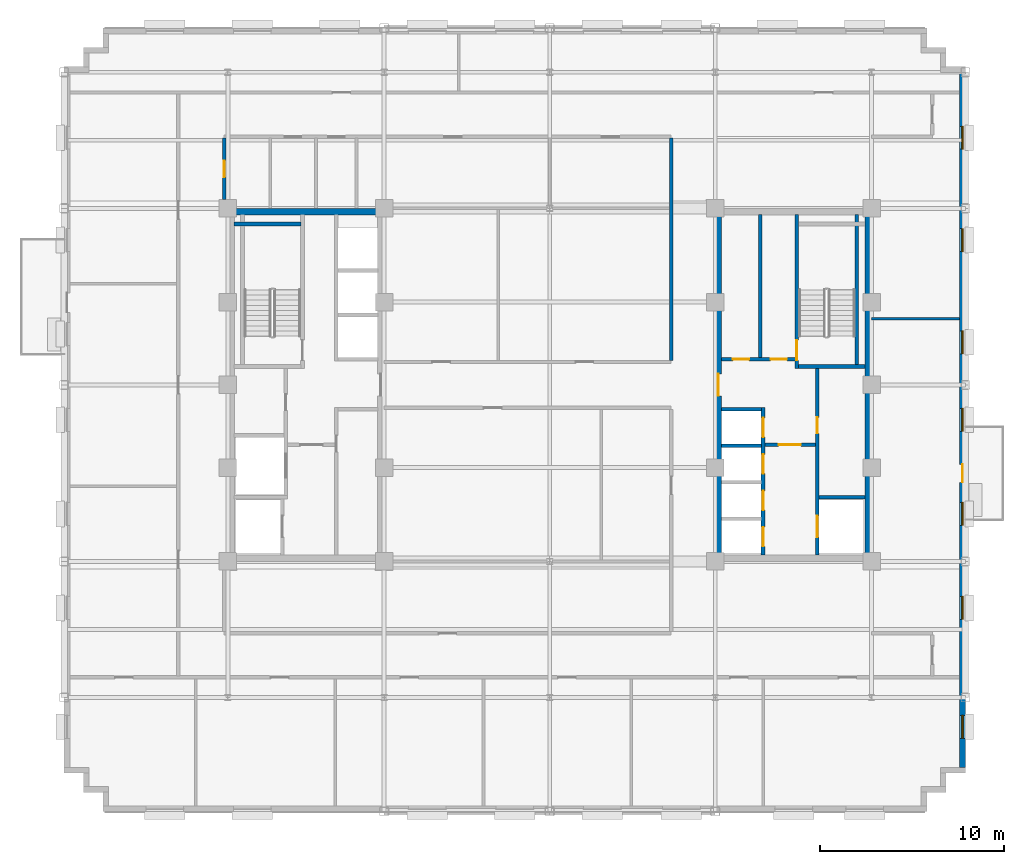
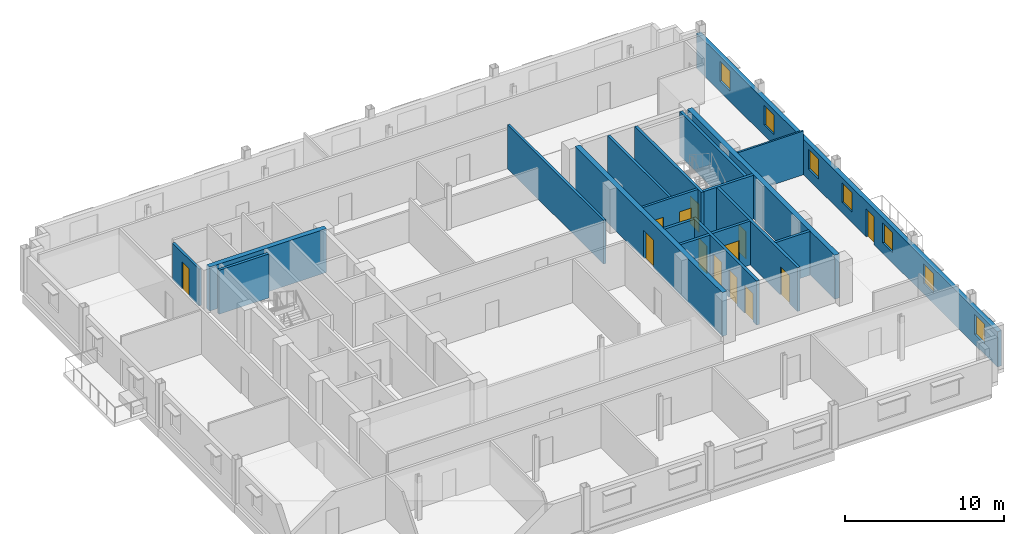
# One storey, part 9 of 15: 19 walls, 13 doors, 7 windows, 20 openings.
"""IFC4 building model written with IfcOpenShell, lengths in metres."""

from ifc_helpers import new_model, si_unit, direction, frame, frame_2d, origin, place, context, subcontext, project, spatial, rectangle, extrude, source, transform, mapped, material, layer, layer_set, type_object, type_shapes, element, fill, save


model = new_model("IFC4")

# Units and contexts
model_context = context("Model", 3, precision=1e-05, world=origin(), true_north=direction((0.0, 1.0)))
body_context = subcontext(model_context, "Body", "Model", "MODEL_VIEW")
ifc_project = project(units=[si_unit("LENGTHUNIT", "METRE"), si_unit("AREAUNIT", "SQUARE_METRE"), si_unit("VOLUMEUNIT", "CUBIC_METRE"), si_unit("PLANEANGLEUNIT", "RADIAN"), si_unit("MASSUNIT", "GRAM", prefix="KILO")], contexts=[model_context])

# Site, building, storey
site_placement = place(None, origin())
site = spatial("IfcSite", under=ifc_project, at=site_placement, CompositionType="ELEMENT")
building_placement = place(site_placement, origin())
building = spatial("IfcBuilding", under=site, at=building_placement, Name="Nuvemarco Arch Tower", CompositionType="ELEMENT")
storey_placement = place(building_placement, frame((0.0, 0.0, 190.89990234375)))
storey = spatial("IfcBuildingStorey", under=building, at=storey_placement, Name="L50", CompositionType="ELEMENT", Elevation=190.89990234375)

# Wall, openings, door, windows
ifc_material_1 = material(Name="Precast concrete C45/55", Category="concrete")
ifc_layer_1 = layer(ifc_material_1, 0.31005859375, Name="EW-UPP-310")
ifc_layer_set_1 = layer_set([ifc_layer_1], Name="Precast concrete C45/55")
wall_type_1 = type_object("IfcWallType", Name="EW-UPP-310", PredefinedType="STANDARD", material=ifc_layer_set_1)
wall_1_placement = place(storey_placement, frame((22.445068359375, -20.7939453125, 0.0), z_axis=(0.0, 0.0, 1.0), x_axis=(0.0, 1.0, 0.0)))
wall_1 = element("IfcWall", 1, at=wall_1_placement, inside=storey, type_object=wall_type_1, Name="L50 exterior precast facade wall 6", PredefinedType="STANDARD", context=body_context, shape_type="SweptSolid", body=[
    extrude(rectangle(XDim=37.787841796875, YDim=0.31005859375, at=frame_2d((18.89404296875, 0.0))), origin(), (0.0, 0.0, 1.0), 2.705078125),
])
opening_1_placement = place(wall_1_placement, frame((16.473876953125, 0.0, 0.0), z_axis=(0.0, 0.0, 1.0), x_axis=(-1.0, 0.0, 0.0)))
opening_1 = element("IfcOpeningElement", 2, at=opening_1_placement, cuts=wall_1, Name="Opening ED-6", PredefinedType="OPENING", context=body_context, shape_type="SweptSolid", body=[
    extrude(rectangle(XDim=0.97998046875, YDim=2.14990234375, at=frame_2d((0.489990234375, 1.074951171875))), frame((0.0, 0.1650390625, 0.0), z_axis=(0.0, -1.0, 0.0), x_axis=(1.0, 0.0, 0.0)), (0.0, 0.0, 1.0), 0.330078125),
])
opening_2_placement = place(wall_1_placement, frame((1.581298828125, 0.0, 0.800048828125)))
opening_2 = element("IfcOpeningElement", 3, at=opening_2_placement, cuts=wall_1, Name="Opening WN-13", PredefinedType="OPENING", context=body_context, shape_type="SweptSolid", body=[
    extrude(rectangle(XDim=1.25, YDim=1.52001953125, at=frame_2d((0.625, 0.760009765625))), frame((0.0, 0.1650390625, 0.0), z_axis=(0.0, -1.0, 0.0), x_axis=(1.0, 0.0, 0.0)), (0.0, 0.0, 1.0), 0.330078125),
])
opening_3_placement = place(wall_1_placement, frame((8.0439453125, 0.0, 0.800048828125)))
opening_3 = element("IfcOpeningElement", 4, at=opening_3_placement, cuts=wall_1, Name="Opening WN-13", PredefinedType="OPENING", context=body_context, shape_type="SweptSolid", body=[
    extrude(rectangle(XDim=1.25, YDim=1.52001953125, at=frame_2d((0.625, 0.760009765625))), frame((0.0, 0.1650390625, 0.0), z_axis=(0.0, -1.0, 0.0), x_axis=(1.0, 0.0, 0.0)), (0.0, 0.0, 1.0), 0.330078125),
])
opening_4_placement = place(wall_1_placement, frame((13.156494140625, 0.0, 0.800048828125)))
opening_4 = element("IfcOpeningElement", 5, at=opening_4_placement, cuts=wall_1, Name="Opening WN-13", PredefinedType="OPENING", context=body_context, shape_type="SweptSolid", body=[
    extrude(rectangle(XDim=1.25, YDim=1.52001953125, at=frame_2d((0.625, 0.760009765625))), frame((0.0, 0.1650390625, 0.0), z_axis=(0.0, -1.0, 0.0), x_axis=(1.0, 0.0, 0.0)), (0.0, 0.0, 1.0), 0.330078125),
])
opening_5_placement = place(wall_1_placement, frame((18.26904296875, 0.0, 0.800048828125)))
opening_5 = element("IfcOpeningElement", 6, at=opening_5_placement, cuts=wall_1, Name="Opening WN-13", PredefinedType="OPENING", context=body_context, shape_type="SweptSolid", body=[
    extrude(rectangle(XDim=1.25, YDim=1.52001953125, at=frame_2d((0.625, 0.760009765625))), frame((0.0, 0.1650390625, 0.0), z_axis=(0.0, -1.0, 0.0), x_axis=(1.0, 0.0, 0.0)), (0.0, 0.0, 1.0), 0.330078125),
])
opening_6_placement = place(wall_1_placement, frame((22.481689453125, 0.0, 0.800048828125)))
opening_6 = element("IfcOpeningElement", 7, at=opening_6_placement, cuts=wall_1, Name="Opening WN-13", PredefinedType="OPENING", context=body_context, shape_type="SweptSolid", body=[
    extrude(rectangle(XDim=1.25, YDim=1.52001953125, at=frame_2d((0.625, 0.760009765625))), frame((0.0, 0.1650390625, 0.0), z_axis=(0.0, -1.0, 0.0), x_axis=(1.0, 0.0, 0.0)), (0.0, 0.0, 1.0), 0.330078125),
])
opening_7_placement = place(wall_1_placement, frame((28.044189453125, 0.0, 0.800048828125)))
opening_7 = element("IfcOpeningElement", 8, at=opening_7_placement, cuts=wall_1, Name="Opening WN-13", PredefinedType="OPENING", context=body_context, shape_type="SweptSolid", body=[
    extrude(rectangle(XDim=1.25, YDim=1.52001953125, at=frame_2d((0.625, 0.760009765625))), frame((0.0, 0.1650390625, 0.0), z_axis=(0.0, -1.0, 0.0), x_axis=(1.0, 0.0, 0.0)), (0.0, 0.0, 1.0), 0.330078125),
])
opening_8_placement = place(wall_1_placement, frame((33.606689453125, 0.0, 0.800048828125)))
opening_8 = element("IfcOpeningElement", 9, at=opening_8_placement, cuts=wall_1, Name="Opening WN-13", PredefinedType="OPENING", context=body_context, shape_type="SweptSolid", body=[
    extrude(rectangle(XDim=1.25, YDim=1.52001953125, at=frame_2d((0.625, 0.760009765625))), frame((0.0, 0.1650390625, 0.0), z_axis=(0.0, -1.0, 0.0), x_axis=(1.0, 0.0, 0.0)), (0.0, 0.0, 1.0), 0.330078125),
])
ifc_material_2 = material(Name="Anodised bronze and laminated glass", Category="glass")
door_type_1 = type_object("IfcDoorType", Name="DR-EXT-BALC", OperationType="NOTDEFINED", PredefinedType="DOOR", material=ifc_material_2)
shared_shape_1 = source(origin(), body_context, "Body", "SweptSolid", [
    extrude(rectangle(XDim=0.97998046875, YDim=2.14990234375, at=frame_2d((0.489990234375, 1.074951171875))), frame((0.0, 0.02490234375, 0.0), z_axis=(0.0, -1.0, 0.0), x_axis=(1.0, 0.0, 0.0)), (0.0, 0.0, 1.0), 0.050048828125),
])
type_shapes(door_type_1, [shared_shape_1])
door_1_placement = place(opening_1_placement, origin())
door_1 = element("IfcDoor", 10, at=door_1_placement, inside=storey, type_object=door_type_1, Name="L50 tree balcony access door", OperationType="SINGLE_SWING_RIGHT", OverallHeight=2.14990234375, OverallWidth=0.97998046875, PredefinedType="DOOR", context=body_context, shape_type="MappedRepresentation", body=[
    mapped(shared_shape_1, transform((0.0, 0.0, 0.0), scale=1.0)),
])
fill(opening_1, door_1)
ifc_material_3 = material(Name="Insulated solar-control glass", Category="glass")
window_type = type_object("IfcWindowType", Name="WN-SET-1250x1520", PartitioningType="SINGLE_PANEL", PredefinedType="WINDOW", material=ifc_material_3)
shared_shape_2 = source(origin(), body_context, "Body", "SweptSolid", [
    extrude(rectangle(XDim=1.25, YDim=1.52001953125, at=frame_2d((0.625, 0.760009765625))), frame((0.0, 0.030029296875, 0.0), z_axis=(0.0, -1.0, 0.0), x_axis=(1.0, 0.0, 0.0)), (0.0, 0.0, 1.0), 0.06005859375),
])
type_shapes(window_type, [shared_shape_2])
window_1_placement = place(opening_2_placement, origin())
window_1 = element("IfcWindow", 11, at=window_1_placement, inside=storey, type_object=window_type, Name="L50 punched facade window 1", OverallHeight=1.52001953125, OverallWidth=1.25, PartitioningType="SINGLE_PANEL", PredefinedType="WINDOW", context=body_context, shape_type="MappedRepresentation", body=[
    mapped(shared_shape_2, transform((0.0, 0.0, 0.0), scale=1.0)),
])
fill(opening_2, window_1)
window_2_placement = place(opening_3_placement, origin())
window_2 = element("IfcWindow", 12, at=window_2_placement, inside=storey, type_object=window_type, Name="L50 punched facade window 2", OverallHeight=1.52001953125, OverallWidth=1.25, PartitioningType="SINGLE_PANEL", PredefinedType="WINDOW", context=body_context, shape_type="MappedRepresentation", body=[
    mapped(shared_shape_2, transform((0.0, 0.0, 0.0), scale=1.0)),
])
fill(opening_3, window_2)
window_3_placement = place(opening_4_placement, origin())
window_3 = element("IfcWindow", 13, at=window_3_placement, inside=storey, type_object=window_type, Name="L50 punched facade window 3", OverallHeight=1.52001953125, OverallWidth=1.25, PartitioningType="SINGLE_PANEL", PredefinedType="WINDOW", context=body_context, shape_type="MappedRepresentation", body=[
    mapped(shared_shape_2, transform((0.0, 0.0, 0.0), scale=1.0)),
])
fill(opening_4, window_3)
window_4_placement = place(opening_5_placement, origin())
window_4 = element("IfcWindow", 14, at=window_4_placement, inside=storey, type_object=window_type, Name="L50 punched facade window 4", OverallHeight=1.52001953125, OverallWidth=1.25, PartitioningType="SINGLE_PANEL", PredefinedType="WINDOW", context=body_context, shape_type="MappedRepresentation", body=[
    mapped(shared_shape_2, transform((0.0, 0.0, 0.0), scale=1.0)),
])
fill(opening_5, window_4)
window_5_placement = place(opening_6_placement, origin())
window_5 = element("IfcWindow", 15, at=window_5_placement, inside=storey, type_object=window_type, Name="L50 punched facade window 5", OverallHeight=1.52001953125, OverallWidth=1.25, PartitioningType="SINGLE_PANEL", PredefinedType="WINDOW", context=body_context, shape_type="MappedRepresentation", body=[
    mapped(shared_shape_2, transform((0.0, 0.0, 0.0), scale=1.0)),
])
fill(opening_6, window_5)
window_6_placement = place(opening_7_placement, origin())
window_6 = element("IfcWindow", 16, at=window_6_placement, inside=storey, type_object=window_type, Name="L50 punched facade window 6", OverallHeight=1.52001953125, OverallWidth=1.25, PartitioningType="SINGLE_PANEL", PredefinedType="WINDOW", context=body_context, shape_type="MappedRepresentation", body=[
    mapped(shared_shape_2, transform((0.0, 0.0, 0.0), scale=1.0)),
])
fill(opening_7, window_6)
window_7_placement = place(opening_8_placement, origin())
window_7 = element("IfcWindow", 17, at=window_7_placement, inside=storey, type_object=window_type, Name="L50 punched facade window 7", OverallHeight=1.52001953125, OverallWidth=1.25, PartitioningType="SINGLE_PANEL", PredefinedType="WINDOW", context=body_context, shape_type="MappedRepresentation", body=[
    mapped(shared_shape_2, transform((0.0, 0.0, 0.0), scale=1.0)),
])
fill(opening_8, window_7)

# Wall
ifc_material_4 = material(Name="Concrete C50/60", Category="concrete")
ifc_layer_2 = layer(ifc_material_4, 0.35009765625, Name="WL-CORE-350")
ifc_layer_set_2 = layer_set([ifc_layer_2], Name="Concrete C50/60")
wall_type_2 = type_object("IfcWallType", Name="WL-CORE-350", PredefinedType="SHEAR", material=ifc_layer_set_2)
wall_2_placement = place(storey_placement, frame((-17.5, 9.425048828125, 0.0), z_axis=(0.0, 0.0, 1.0), x_axis=(1.0, 0.0, 0.0)))
element("IfcWall", 18, at=wall_2_placement, inside=storey, type_object=wall_type_2, Name="L50 W-core shear wall N", PredefinedType="SHEAR", context=body_context, shape_type="SweptSolid", body=[
    extrude(rectangle(XDim=8.5, YDim=0.35009765625, at=frame_2d((4.25, 0.0))), origin(), (0.0, 0.0, 1.0), 3.3701171875),
])

# Wall, opening, door
wall_3_placement = place(storey_placement, frame((9.175048828125, -9.2548828125, 0.0), z_axis=(0.0, 0.0, 1.0), x_axis=(0.0, 1.0, 0.0)))
wall_3 = element("IfcWall", 19, at=wall_3_placement, inside=storey, type_object=wall_type_2, Name="L50 E-core shear wall W", PredefinedType="SHEAR", context=body_context, shape_type="SweptSolid", body=[
    extrude(rectangle(XDim=18.509765625, YDim=0.35009765625, at=frame_2d((9.2548828125, 0.0))), origin(), (0.0, 0.0, 1.0), 3.3701171875),
])
opening_9_placement = place(wall_3_placement, frame((8.655029296875, 0.0, 0.0)))
opening_9 = element("IfcOpeningElement", 20, at=opening_9_placement, cuts=wall_3, Name="Opening FD-2", PredefinedType="OPENING", context=body_context, shape_type="SweptSolid", body=[
    extrude(rectangle(XDim=1.199951171875, YDim=2.14990234375, at=frame_2d((0.60009765625, 1.074951171875))), frame((0.0, 0.18505859375, 0.0), z_axis=(0.0, -1.0, 0.0), x_axis=(1.0, 0.0, 0.0)), (0.0, 0.0, 1.0), 0.3701171875),
])
ifc_material_5 = material(Name="Anodised steel fire door", Category="steel")
door_type_2 = type_object("IfcDoorType", Name="DR-FFLOB-FD", OperationType="NOTDEFINED", PredefinedType="DOOR", material=ifc_material_5)
shared_shape_3 = source(origin(), body_context, "Body", "SweptSolid", [
    extrude(rectangle(XDim=1.199951171875, YDim=2.14990234375, at=frame_2d((0.60009765625, 1.074951171875))), frame((0.0, 0.02490234375, 0.0), z_axis=(0.0, -1.0, 0.0), x_axis=(1.0, 0.0, 0.0)), (0.0, 0.0, 1.0), 0.050048828125),
])
type_shapes(door_type_2, [shared_shape_3])
door_2_placement = place(opening_9_placement, origin())
door_2 = element("IfcDoor", 21, at=door_2_placement, inside=storey, type_object=door_type_2, Name="L50 door FD-L50-ECORE-W", OperationType="SINGLE_SWING_RIGHT", OverallHeight=2.14990234375, OverallWidth=1.199951171875, PredefinedType="DOOR", context=body_context, shape_type="MappedRepresentation", body=[
    mapped(shared_shape_3, transform((0.0, 0.0, 0.0), scale=1.0)),
])
fill(opening_9, door_2)

# Wall
wall_4_placement = place(storey_placement, frame((17.324951171875, -9.2548828125, 0.0), z_axis=(0.0, 0.0, 1.0), x_axis=(0.0, 1.0, 0.0)))
element("IfcWall", 22, at=wall_4_placement, inside=storey, type_object=wall_type_2, Name="L50 E-core shear wall E", PredefinedType="SHEAR", context=body_context, shape_type="SweptSolid", body=[
    extrude(rectangle(XDim=18.509765625, YDim=0.35009765625, at=frame_2d((9.2548828125, 0.0))), origin(), (0.0, 0.0, 1.0), 3.3701171875),
])

# Wall, openings, doors
ifc_material_6 = material(Name="Fire-rated gypsum drywall partition")
ifc_layer_3 = layer(ifc_material_6, 0.179931640625, Name="WL-CORR-180")
ifc_layer_set_3 = layer_set([ifc_layer_3], Name="Fire-rated gypsum drywall partition")
wall_type_3 = type_object("IfcWallType", Name="WL-CORR-180", PredefinedType="PARTITIONING", material=ifc_layer_set_3)
wall_5_placement = place(storey_placement, frame((9.344970703125, 1.39990234375, 0.0), z_axis=(0.0, 0.0, 1.0), x_axis=(1.0, 0.0, 0.0)))
wall_5 = element("IfcWall", 23, at=wall_5_placement, inside=storey, type_object=wall_type_3, Name="L50 interior wall IW-L50-EK-S", PredefinedType="PARTITIONING", context=body_context, shape_type="SweptSolid", body=[
    extrude(rectangle(XDim=4.0, YDim=0.179931640625, at=frame_2d((2.0, 0.0))), origin(), (0.0, 0.0, 1.0), 3.360107421875),
])
opening_10_placement = place(wall_5_placement, frame((0.614990234375, 0.0, 0.0)))
opening_10 = element("IfcOpeningElement", 24, at=opening_10_placement, cuts=wall_5, Name="Opening FD-4", PredefinedType="OPENING", context=body_context, shape_type="SweptSolid", body=[
    extrude(rectangle(XDim=0.8798828125, YDim=2.10009765625, at=frame_2d((0.43994140625, 1.050048828125))), frame((0.0, 0.099853515625, 0.0), z_axis=(0.0, -1.0, 0.0), x_axis=(1.0, 0.0, 0.0)), (0.0, 0.0, 1.0), 0.199951171875),
])
opening_11_placement = place(wall_5_placement, frame((2.6650390625, 0.0, 0.0)))
opening_11 = element("IfcOpeningElement", 25, at=opening_11_placement, cuts=wall_5, Name="Opening FD-4", PredefinedType="OPENING", context=body_context, shape_type="SweptSolid", body=[
    extrude(rectangle(XDim=0.8798828125, YDim=2.10009765625, at=frame_2d((0.43994140625, 1.050048828125))), frame((0.0, 0.099853515625, 0.0), z_axis=(0.0, -1.0, 0.0), x_axis=(1.0, 0.0, 0.0)), (0.0, 0.0, 1.0), 0.199951171875),
])
door_type_3 = type_object("IfcDoorType", Name="DR-RISER-FD", OperationType="NOTDEFINED", PredefinedType="DOOR", material=ifc_material_5)
shared_shape_4 = source(origin(), body_context, "Body", "SweptSolid", [
    extrude(rectangle(XDim=0.8798828125, YDim=2.10009765625, at=frame_2d((0.43994140625, 1.050048828125))), frame((0.0, 0.02490234375, 0.0), z_axis=(0.0, -1.0, 0.0), x_axis=(1.0, 0.0, 0.0)), (0.0, 0.0, 1.0), 0.050048828125),
])
type_shapes(door_type_3, [shared_shape_4])
door_3_placement = place(opening_10_placement, origin())
door_3 = element("IfcDoor", 26, at=door_3_placement, inside=storey, type_object=door_type_3, Name="L50 door FD-L50-EK2A", OperationType="SINGLE_SWING_LEFT", OverallHeight=2.10009765625, OverallWidth=0.8798828125, PredefinedType="DOOR", context=body_context, shape_type="MappedRepresentation", body=[
    mapped(shared_shape_4, transform((0.0, 0.0, 0.0), scale=1.0)),
])
fill(opening_10, door_3)
door_4_placement = place(opening_11_placement, origin())
door_4 = element("IfcDoor", 27, at=door_4_placement, inside=storey, type_object=door_type_3, Name="L50 door FD-L50-EK2B", OperationType="SINGLE_SWING_RIGHT", OverallHeight=2.10009765625, OverallWidth=0.8798828125, PredefinedType="DOOR", context=body_context, shape_type="MappedRepresentation", body=[
    mapped(shared_shape_4, transform((0.0, 0.0, 0.0), scale=1.0)),
])
fill(opening_11, door_4)

# Wall
wall_6_placement = place(storey_placement, frame((11.449951171875, 1.489990234375, 0.0), z_axis=(0.0, 0.0, 1.0), x_axis=(0.0, 1.0, 0.0)))
element("IfcWall", 28, at=wall_6_placement, inside=storey, type_object=wall_type_3, Name="L50 interior wall IW-L50-EK2", PredefinedType="PARTITIONING", context=body_context, shape_type="SweptSolid", body=[
    extrude(rectangle(XDim=7.764892578125, YDim=0.179931640625, at=frame_2d((3.88232421875, 0.0))), origin(), (0.0, 0.0, 1.0), 3.360107421875),
])

# Wall, opening, door
wall_7_placement = place(storey_placement, frame((-17.699951171875, 10.071044921875, 0.0), z_axis=(0.0, 0.0, 1.0), x_axis=(0.0, 1.0, 0.0)))
wall_7 = element("IfcWall", 29, at=wall_7_placement, inside=storey, type_object=wall_type_3, Name="L50 interior wall IW-L50-019", PredefinedType="PARTITIONING", context=body_context, shape_type="SweptSolid", body=[
    extrude(rectangle(XDim=3.343017578125, YDim=0.179931640625, at=frame_2d((1.67138671875, 0.0))), origin(), (0.0, 0.0, 1.0), 2.816162109375),
])
opening_12_placement = place(wall_7_placement, frame((1.221435546875, 0.0, 0.0)))
opening_12 = element("IfcOpeningElement", 30, at=opening_12_placement, cuts=wall_7, Name="Opening ID-3", PredefinedType="OPENING", context=body_context, shape_type="SweptSolid", body=[
    extrude(rectangle(XDim=0.89990234375, YDim=2.10009765625, at=frame_2d((0.449951171875, 1.050048828125))), frame((0.0, 0.099853515625, 0.0), z_axis=(0.0, -1.0, 0.0), x_axis=(1.0, 0.0, 0.0)), (0.0, 0.0, 1.0), 0.199951171875),
])
ifc_material_7 = material(Name="Veneered oak timber fire door", Category="wood")
door_type_4 = type_object("IfcDoorType", Name="DR-WC-ACC", OperationType="NOTDEFINED", PredefinedType="DOOR", material=ifc_material_7)
shared_shape_5 = source(origin(), body_context, "Body", "SweptSolid", [
    extrude(rectangle(XDim=0.89990234375, YDim=2.10009765625, at=frame_2d((0.449951171875, 1.050048828125))), frame((0.0, 0.02490234375, 0.0), z_axis=(0.0, -1.0, 0.0), x_axis=(1.0, 0.0, 0.0)), (0.0, 0.0, 1.0), 0.050048828125),
])
type_shapes(door_type_4, [shared_shape_5])
door_5_placement = place(opening_12_placement, origin())
door_5 = element("IfcDoor", 31, at=door_5_placement, inside=storey, type_object=door_type_4, Name="L50 door DR-L50-WC_M", OperationType="SINGLE_SWING_LEFT", OverallHeight=2.10009765625, OverallWidth=0.89990234375, PredefinedType="DOOR", context=body_context, shape_type="MappedRepresentation", body=[
    mapped(shared_shape_5, transform((0.0, 0.0, 0.0), scale=1.0)),
])
fill(opening_12, door_5)

# Walls
wall_8_placement = place(storey_placement, frame((6.60009765625, 1.3359375, 0.0), z_axis=(0.0, 0.0, 1.0), x_axis=(0.0, 1.0, 0.0)))
element("IfcWall", 32, at=wall_8_placement, inside=storey, type_object=wall_type_3, Name="L50 interior wall IW-L50-031", PredefinedType="PARTITIONING", context=body_context, shape_type="SweptSolid", body=[
    extrude(rectangle(XDim=12.078125, YDim=0.179931640625, at=frame_2d((6.0390625, 0.0))), origin(), (0.0, 0.0, 1.0), 3.360107421875),
])
ifc_material_8 = material(Name="Glazed acoustic office partition")
ifc_layer_4 = layer(ifc_material_8, 0.1298828125, Name="WL-EXEC-130")
ifc_layer_set_4 = layer_set([ifc_layer_4], Name="Glazed acoustic office partition")
wall_type_4 = type_object("IfcWallType", Name="WL-EXEC-130", PredefinedType="PARTITIONING", material=ifc_layer_set_4)
wall_9_placement = place(storey_placement, frame((17.5, 3.60009765625, 0.0), z_axis=(0.0, 0.0, 1.0), x_axis=(1.0, 0.0, 0.0)))
element("IfcWall", 33, at=wall_9_placement, inside=storey, type_object=wall_type_4, Name="L50 interior wall IW-L50-009", PredefinedType="PARTITIONING", context=body_context, shape_type="SweptSolid", body=[
    extrude(rectangle(XDim=4.7900390625, YDim=0.1298828125, at=frame_2d((2.39501953125, 0.0))), origin(), (0.0, 0.0, 1.0), 3.360107421875),
])
ifc_layer_5 = layer(ifc_material_4, 0.199951171875, Name="WL-SHAFT-220")
ifc_layer_set_5 = layer_set([ifc_layer_5], Name="Concrete C50/60")
wall_type_5 = type_object("IfcWallType", Name="WL-SHAFT-220", PredefinedType="SHEAR", material=ifc_layer_set_5)
wall_10_placement = place(storey_placement, frame((-17.155029296875, 8.75, 0.0), z_axis=(0.0, 0.0, 1.0), x_axis=(1.0, 0.0, 0.0)))
element("IfcWall", 34, at=wall_10_placement, inside=storey, type_object=wall_type_5, Name="L50 structural shaft wall SW-L50-W-ST1N", PredefinedType="SHEAR", context=body_context, shape_type="SweptSolid", body=[
    extrude(rectangle(XDim=3.6201171875, YDim=0.199951171875, at=frame_2d((1.81005859375, 0.0))), origin(), (0.0, 0.0, 1.0), 3.3701171875),
])

# Wall, opening, door
wall_11_placement = place(storey_placement, frame((13.43994140625, 0.89990234375, 0.0), z_axis=(0.0, 0.0, 1.0), x_axis=(0.0, 1.0, 0.0)))
wall_11 = element("IfcWall", 35, at=wall_11_placement, inside=storey, type_object=wall_type_5, Name="L50 structural shaft wall SW-L50-E-ST2W", PredefinedType="SHEAR", context=body_context, shape_type="SweptSolid", body=[
    extrude(rectangle(XDim=8.35498046875, YDim=0.199951171875, at=frame_2d((4.177490234375, 0.0))), origin(), (0.0, 0.0, 1.0), 3.3701171875),
])
opening_13_placement = place(wall_11_placement, frame((0.429931640625, 0.0, 0.0)))
opening_13 = element("IfcOpeningElement", 36, at=opening_13_placement, cuts=wall_11, Name="Opening FD-1", PredefinedType="OPENING", context=body_context, shape_type="SweptSolid", body=[
    extrude(rectangle(XDim=1.10009765625, YDim=2.14990234375, at=frame_2d((0.550048828125, 1.074951171875))), frame((0.0, 0.10986328125, 0.0), z_axis=(0.0, -1.0, 0.0), x_axis=(1.0, 0.0, 0.0)), (0.0, 0.0, 1.0), 0.219970703125),
])
door_type_5 = type_object("IfcDoorType", Name="DR-STAIR-FD", OperationType="NOTDEFINED", PredefinedType="DOOR", material=ifc_material_5)
shared_shape_6 = source(origin(), body_context, "Body", "SweptSolid", [
    extrude(rectangle(XDim=1.10009765625, YDim=2.14990234375, at=frame_2d((0.550048828125, 1.074951171875))), frame((0.0, 0.02490234375, 0.0), z_axis=(0.0, -1.0, 0.0), x_axis=(1.0, 0.0, 0.0)), (0.0, 0.0, 1.0), 0.050048828125),
])
type_shapes(door_type_5, [shared_shape_6])
door_6_placement = place(opening_13_placement, origin())
door_6 = element("IfcDoor", 37, at=door_6_placement, inside=storey, type_object=door_type_5, Name="L50 door FD-L50-ST2", OperationType="SINGLE_SWING_LEFT", OverallHeight=2.14990234375, OverallWidth=1.10009765625, PredefinedType="DOOR", context=body_context, shape_type="MappedRepresentation", body=[
    mapped(shared_shape_6, transform((0.0, 0.0, 0.0), scale=1.0)),
])
fill(opening_13, door_6)

# Walls
wall_12_placement = place(storey_placement, frame((13.534912109375, 1.0, 0.0), z_axis=(0.0, 0.0, 1.0), x_axis=(1.0, 0.0, 0.0)))
element("IfcWall", 38, at=wall_12_placement, inside=storey, type_object=wall_type_5, Name="L50 structural shaft wall SW-L50-E-ST2S", PredefinedType="SHEAR", context=body_context, shape_type="SweptSolid", body=[
    extrude(rectangle(XDim=3.6201171875, YDim=0.199951171875, at=frame_2d((1.81005859375, 0.0))), origin(), (0.0, 0.0, 1.0), 3.3701171875),
])
wall_13_placement = place(storey_placement, frame((16.699951171875, 1.094970703125, 0.0), z_axis=(0.0, 0.0, 1.0), x_axis=(0.0, 1.0, 0.0)))
element("IfcWall", 39, at=wall_13_placement, inside=storey, type_object=wall_type_5, Name="L50 structural shaft wall SW-L50-E-ST2E", PredefinedType="SHEAR", context=body_context, shape_type="SweptSolid", body=[
    extrude(rectangle(XDim=8.159912109375, YDim=0.199951171875, at=frame_2d((4.080078125, 0.0))), origin(), (0.0, 0.0, 1.0), 3.3701171875),
])

# Wall, openings, doors
wall_14_placement = place(storey_placement, frame((14.550048828125, -9.2548828125, 0.0), z_axis=(0.0, 0.0, 1.0), x_axis=(0.0, 1.0, 0.0)))
wall_14 = element("IfcWall", 40, at=wall_14_placement, inside=storey, type_object=wall_type_5, Name="L50 structural shaft wall SW-L50-E-SHW", PredefinedType="SHEAR", context=body_context, shape_type="SweptSolid", body=[
    extrude(rectangle(XDim=10.159912109375, YDim=0.199951171875, at=frame_2d((5.080078125, 0.0))), origin(), (0.0, 0.0, 1.0), 3.3701171875),
])
opening_14_placement = place(wall_14_placement, frame((6.614990234375, 0.0, 0.0)))
opening_14 = element("IfcOpeningElement", 41, at=opening_14_placement, cuts=wall_14, Name="Opening FD-4", PredefinedType="OPENING", context=body_context, shape_type="SweptSolid", body=[
    extrude(rectangle(XDim=0.8798828125, YDim=2.10009765625, at=frame_2d((0.43994140625, 1.050048828125))), frame((0.0, 0.10986328125, 0.0), z_axis=(0.0, -1.0, 0.0), x_axis=(1.0, 0.0, 0.0)), (0.0, 0.0, 1.0), 0.219970703125),
])
opening_15_placement = place(wall_14_placement, frame((0.97998046875, 0.0, 0.0)))
opening_15 = element("IfcOpeningElement", 42, at=opening_15_placement, cuts=wall_14, Name="Opening LD-2", PredefinedType="OPENING", context=body_context, shape_type="SweptSolid", body=[
    extrude(rectangle(XDim=1.14990234375, YDim=2.14990234375, at=frame_2d((0.574951171875, 1.074951171875))), frame((0.0, 0.10986328125, 0.0), z_axis=(0.0, -1.0, 0.0), x_axis=(1.0, 0.0, 0.0)), (0.0, 0.0, 1.0), 0.219970703125),
])
door_7_placement = place(opening_14_placement, origin())
door_7 = element("IfcDoor", 43, at=door_7_placement, inside=storey, type_object=door_type_3, Name="L50 door FD-L50-ERIS", OperationType="SINGLE_SWING_LEFT", OverallHeight=2.10009765625, OverallWidth=0.8798828125, PredefinedType="DOOR", context=body_context, shape_type="MappedRepresentation", body=[
    mapped(shared_shape_4, transform((0.0, 0.0, 0.0), scale=1.0)),
])
fill(opening_14, door_7)
ifc_material_9 = material(Name="Stainless steel lift door", Category="steel")
door_type_6 = type_object("IfcDoorType", Name="DR-LIFT-FIRE", OperationType="DOUBLE_DOOR_SLIDING", PredefinedType="DOOR", material=ifc_material_9)
shared_shape_7 = source(origin(), body_context, "Body", "SweptSolid", [
    extrude(rectangle(XDim=1.14990234375, YDim=2.14990234375, at=frame_2d((0.574951171875, 1.074951171875))), frame((0.0, 0.02490234375, 0.0), z_axis=(0.0, -1.0, 0.0), x_axis=(1.0, 0.0, 0.0)), (0.0, 0.0, 1.0), 0.050048828125),
])
type_shapes(door_type_6, [shared_shape_7])
door_8_placement = place(opening_15_placement, origin())
door_8 = element("IfcDoor", 44, at=door_8_placement, inside=storey, type_object=door_type_6, Name="L50 Lift landing sliding door FFL-2", OperationType="DOUBLE_DOOR_SLIDING", OverallHeight=2.14990234375, OverallWidth=1.14990234375, PredefinedType="DOOR", context=body_context, shape_type="MappedRepresentation", body=[
    mapped(shared_shape_7, transform((0.0, 0.0, 0.0), scale=1.0)),
])
fill(opening_15, door_8)

# Wall
wall_15_placement = place(storey_placement, frame((14.64501953125, -6.10009765625, 0.0), z_axis=(0.0, 0.0, 1.0), x_axis=(1.0, 0.0, 0.0)))
element("IfcWall", 45, at=wall_15_placement, inside=storey, type_object=wall_type_5, Name="L50 structural shaft wall SW-L50-E-SH1", PredefinedType="SHEAR", context=body_context, shape_type="SweptSolid", body=[
    extrude(rectangle(XDim=2.510009765625, YDim=0.199951171875, at=frame_2d((1.2548828125, 0.0))), origin(), (0.0, 0.0, 1.0), 3.3701171875),
])

# Wall, openings, doors
wall_16_placement = place(storey_placement, frame((11.60009765625, -9.2548828125, 0.0), z_axis=(0.0, 0.0, 1.0), x_axis=(0.0, 1.0, 0.0)))
wall_16 = element("IfcWall", 46, at=wall_16_placement, inside=storey, type_object=wall_type_5, Name="L50 structural shaft wall SW-L50-E-PME", PredefinedType="SHEAR", context=body_context, shape_type="SweptSolid", body=[
    extrude(rectangle(XDim=8.02490234375, YDim=0.199951171875, at=frame_2d((4.012451171875, 0.0))), origin(), (0.0, 0.0, 1.0), 3.3701171875),
])
opening_16_placement = place(wall_16_placement, frame((0.469970703125, 0.0, 0.0)))
opening_16 = element("IfcOpeningElement", 47, at=opening_16_placement, cuts=wall_16, Name="Opening LD-1", PredefinedType="OPENING", context=body_context, shape_type="SweptSolid", body=[
    extrude(rectangle(XDim=1.050048828125, YDim=2.14990234375, at=frame_2d((0.52490234375, 1.074951171875))), frame((0.0, 0.10986328125, 0.0), z_axis=(0.0, -1.0, 0.0), x_axis=(1.0, 0.0, 0.0)), (0.0, 0.0, 1.0), 0.219970703125),
])
opening_17_placement = place(wall_16_placement, frame((2.449951171875, 0.0, 0.0)))
opening_17 = element("IfcOpeningElement", 48, at=opening_17_placement, cuts=wall_16, Name="Opening LD-1", PredefinedType="OPENING", context=body_context, shape_type="SweptSolid", body=[
    extrude(rectangle(XDim=1.050048828125, YDim=2.14990234375, at=frame_2d((0.52490234375, 1.074951171875))), frame((0.0, 0.10986328125, 0.0), z_axis=(0.0, -1.0, 0.0), x_axis=(1.0, 0.0, 0.0)), (0.0, 0.0, 1.0), 0.219970703125),
])
opening_18_placement = place(wall_16_placement, frame((4.429931640625, 0.0, 0.0)))
opening_18 = element("IfcOpeningElement", 49, at=opening_18_placement, cuts=wall_16, Name="Opening LD-1", PredefinedType="OPENING", context=body_context, shape_type="SweptSolid", body=[
    extrude(rectangle(XDim=1.050048828125, YDim=2.14990234375, at=frame_2d((0.52490234375, 1.074951171875))), frame((0.0, 0.10986328125, 0.0), z_axis=(0.0, -1.0, 0.0), x_axis=(1.0, 0.0, 0.0)), (0.0, 0.0, 1.0), 0.219970703125),
])
opening_19_placement = place(wall_16_placement, frame((6.409912109375, 0.0, 0.0)))
opening_19 = element("IfcOpeningElement", 50, at=opening_19_placement, cuts=wall_16, Name="Opening LD-1", PredefinedType="OPENING", context=body_context, shape_type="SweptSolid", body=[
    extrude(rectangle(XDim=1.050048828125, YDim=2.14990234375, at=frame_2d((0.52490234375, 1.074951171875))), frame((0.0, 0.10986328125, 0.0), z_axis=(0.0, -1.0, 0.0), x_axis=(1.0, 0.0, 0.0)), (0.0, 0.0, 1.0), 0.219970703125),
])
door_type_7 = type_object("IfcDoorType", Name="DR-LIFT-PASS", OperationType="DOUBLE_DOOR_SLIDING", PredefinedType="DOOR", material=ifc_material_9)
shared_shape_8 = source(origin(), body_context, "Body", "SweptSolid", [
    extrude(rectangle(XDim=1.050048828125, YDim=2.14990234375, at=frame_2d((0.52490234375, 1.074951171875))), frame((0.0, 0.02490234375, 0.0), z_axis=(0.0, -1.0, 0.0), x_axis=(1.0, 0.0, 0.0)), (0.0, 0.0, 1.0), 0.050048828125),
])
type_shapes(door_type_7, [shared_shape_8])
door_9_placement = place(opening_16_placement, origin())
door_9 = element("IfcDoor", 51, at=door_9_placement, inside=storey, type_object=door_type_7, Name="L50 Lift landing sliding door PM-1", OperationType="DOUBLE_DOOR_SLIDING", OverallHeight=2.14990234375, OverallWidth=1.050048828125, PredefinedType="DOOR", context=body_context, shape_type="MappedRepresentation", body=[
    mapped(shared_shape_8, transform((0.0, 0.0, 0.0), scale=1.0)),
])
fill(opening_16, door_9)
door_10_placement = place(opening_17_placement, origin())
door_10 = element("IfcDoor", 52, at=door_10_placement, inside=storey, type_object=door_type_7, Name="L50 Lift landing sliding door PM-2", OperationType="DOUBLE_DOOR_SLIDING", OverallHeight=2.14990234375, OverallWidth=1.050048828125, PredefinedType="DOOR", context=body_context, shape_type="MappedRepresentation", body=[
    mapped(shared_shape_8, transform((0.0, 0.0, 0.0), scale=1.0)),
])
fill(opening_17, door_10)
door_11_placement = place(opening_18_placement, origin())
door_11 = element("IfcDoor", 53, at=door_11_placement, inside=storey, type_object=door_type_7, Name="L50 Lift landing sliding door PM-3", OperationType="DOUBLE_DOOR_SLIDING", OverallHeight=2.14990234375, OverallWidth=1.050048828125, PredefinedType="DOOR", context=body_context, shape_type="MappedRepresentation", body=[
    mapped(shared_shape_8, transform((0.0, 0.0, 0.0), scale=1.0)),
])
fill(opening_18, door_11)
door_12_placement = place(opening_19_placement, origin())
door_12 = element("IfcDoor", 54, at=door_12_placement, inside=storey, type_object=door_type_7, Name="L50 Lift landing sliding door PM-4", OperationType="DOUBLE_DOOR_SLIDING", OverallHeight=2.14990234375, OverallWidth=1.050048828125, PredefinedType="DOOR", context=body_context, shape_type="MappedRepresentation", body=[
    mapped(shared_shape_8, transform((0.0, 0.0, 0.0), scale=1.0)),
])
fill(opening_19, door_12)

# Wall, opening, door
wall_17_placement = place(storey_placement, frame((11.695068359375, -3.25, 0.0), z_axis=(0.0, 0.0, 1.0), x_axis=(1.0, 0.0, 0.0)))
wall_17 = element("IfcWall", 55, at=wall_17_placement, inside=storey, type_object=wall_type_5, Name="L50 structural shaft wall SW-L50-E-FFN", PredefinedType="SHEAR", context=body_context, shape_type="SweptSolid", body=[
    extrude(rectangle(XDim=2.760009765625, YDim=0.199951171875, at=frame_2d((1.3798828125, 0.0))), origin(), (0.0, 0.0, 1.0), 3.3701171875),
])
opening_20_placement = place(wall_17_placement, frame((0.7548828125, 0.0, 0.0)))
opening_20 = element("IfcOpeningElement", 56, at=opening_20_placement, cuts=wall_17, Name="Opening FD-2", PredefinedType="OPENING", context=body_context, shape_type="SweptSolid", body=[
    extrude(rectangle(XDim=1.199951171875, YDim=2.14990234375, at=frame_2d((0.60009765625, 1.074951171875))), frame((0.0, 0.10986328125, 0.0), z_axis=(0.0, -1.0, 0.0), x_axis=(1.0, 0.0, 0.0)), (0.0, 0.0, 1.0), 0.219970703125),
])
door_13_placement = place(opening_20_placement, origin())
door_13 = element("IfcDoor", 57, at=door_13_placement, inside=storey, type_object=door_type_2, Name="L50 door FD-L50-EFF2", OperationType="SINGLE_SWING_LEFT", OverallHeight=2.14990234375, OverallWidth=1.199951171875, PredefinedType="DOOR", context=body_context, shape_type="MappedRepresentation", body=[
    mapped(shared_shape_3, transform((0.0, 0.0, 0.0), scale=1.0)),
])
fill(opening_20, door_13)

# Walls
for number, where, z_axis, x_axis, name in (
    (58, (9.344970703125, -3.31005859375, 0.0), (0.0, 0.0, 1.0), (1.0, 0.0, 0.0), "L50 structural shaft wall SW-L50-E-PMD3"),
    (59, (9.344970703125, -1.330078125, 0.0), (0.0, 0.0, 1.0), (1.0, 0.0, 0.0), "L50 structural shaft wall SW-L50-E-PMD4"),
):
    element("IfcWall", number, at=place(storey_placement, frame(where, z_axis=z_axis, x_axis=x_axis)), inside=storey, type_object=wall_type_5, Name=name, PredefinedType="SHEAR", context=body_context, shape_type="SweptSolid", body=[
        extrude(rectangle(XDim=2.159912109375, YDim=0.199951171875, at=frame_2d((1.080078125, 0.0))), origin(), (0.0, 0.0, 1.0), 3.3701171875),
    ])

save(model, "model.ifc")
